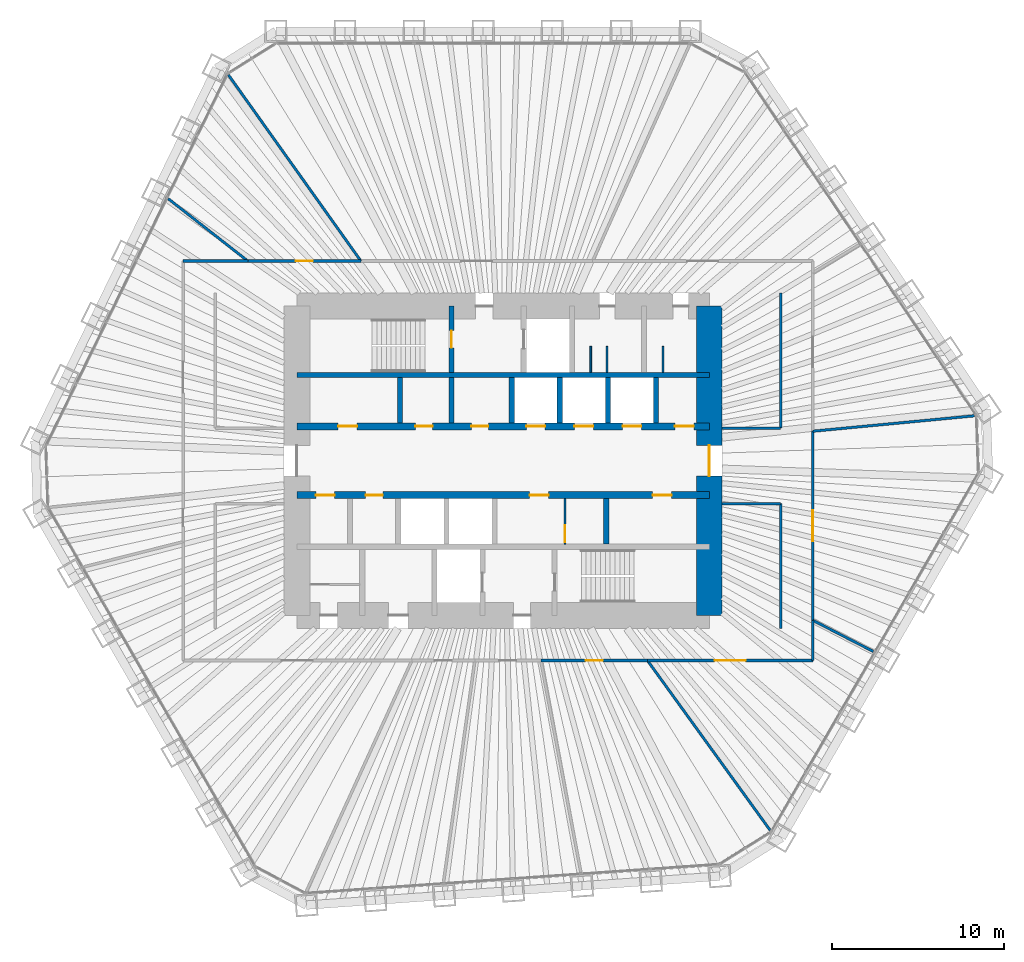
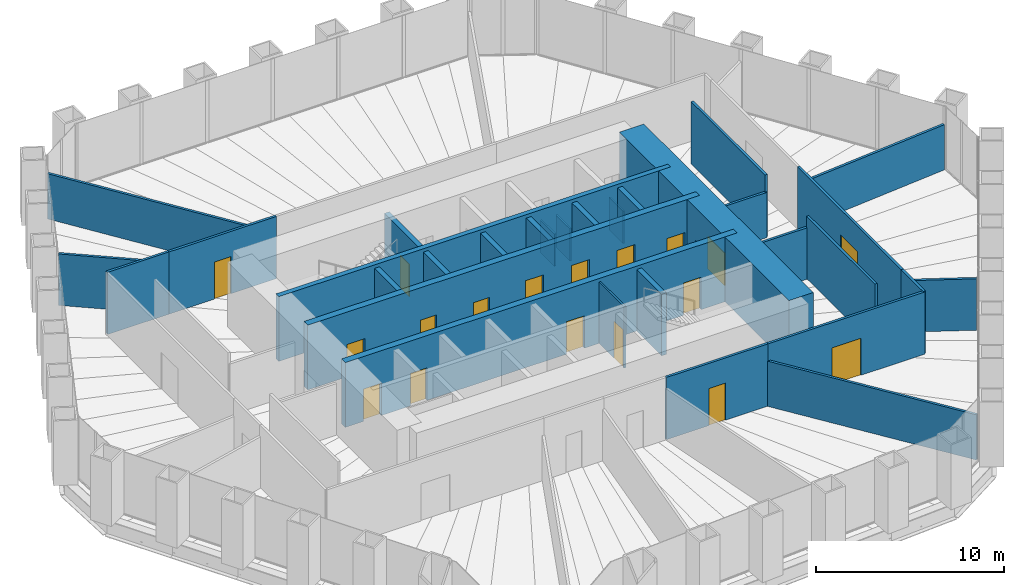
# One storey, part 11 of 13: 31 walls, 18 doors, 18 openings.
"""IFC4 building model written with IfcOpenShell, lengths in metres."""

from ifc_helpers import new_model, si_unit, direction, frame, frame_2d, origin, place, context, subcontext, project, spatial, rectangle, extrude, material, layer, layer_set, type_object, element, fill, save


model = new_model("IFC4")

# Units and contexts
model_context = context("Model", 3, precision=1e-05, world=origin(), true_north=direction((0.0, 1.0)))
body_context = subcontext(model_context, "Body", "Model", "MODEL_VIEW")
ifc_project = project(units=[si_unit("LENGTHUNIT", "METRE"), si_unit("AREAUNIT", "SQUARE_METRE"), si_unit("VOLUMEUNIT", "CUBIC_METRE"), si_unit("PLANEANGLEUNIT", "RADIAN"), si_unit("MASSUNIT", "GRAM", prefix="KILO")], contexts=[model_context])

# Site, building, storey
site_placement = place(None, origin())
site = spatial("IfcSite", under=ifc_project, at=site_placement, CompositionType="ELEMENT")
building_placement = place(site_placement, origin())
building = spatial("IfcBuilding", under=site, at=building_placement, Name="Qingtian Harvest Tower", CompositionType="ELEMENT")
storey_placement = place(building_placement, frame((0.0, 0.0, 119.800048828125)))
storey = spatial("IfcBuildingStorey", under=building, at=storey_placement, Name="L24", CompositionType="ELEMENT", Elevation=119.800048828125)

# Wall
ifc_material_1 = material(Name="Concrete fc' 70 MPa", Category="concrete")
ifc_layer_1 = layer(ifc_material_1, 0.300048828125)
ifc_layer_set_1 = layer_set([ifc_layer_1], Name="Core inner wall RC5 300")
wall_type_1 = type_object("IfcWallType", Name="Core inner wall RC5 300", PredefinedType="SHEAR", material=ifc_layer_set_1)
wall_1_placement = place(storey_placement, frame((-12.0, 5.0, 0.0), z_axis=(0.0, 0.0, 1.0), x_axis=(1.0, 0.0, 0.0)))
element("IfcWall", 1, at=wall_1_placement, inside=storey, type_object=wall_type_1, Name="Core wall IN5 L24", PredefinedType="SHEAR", context=body_context, shape_type="SweptSolid", body=[
    extrude(rectangle(XDim=24.0, YDim=0.300048828125, at=frame_2d((12.0, 0.0))), origin(), (0.0, 0.0, 1.0), 4.199951171875),
])

# Wall, openings, doors
ifc_material_2 = material(Name="Concrete fc' 70 MPa", Category="concrete")
ifc_layer_2 = layer(ifc_material_2, 0.39990234375)
ifc_layer_set_2 = layer_set([ifc_layer_2], Name="Core inner web RC6 400")
wall_type_2 = type_object("IfcWallType", Name="Core inner web RC6 400", PredefinedType="SHEAR", material=ifc_layer_set_2)
wall_2_placement = place(storey_placement, frame((-12.0, 2.0, 0.0), z_axis=(0.0, 0.0, 1.0), x_axis=(1.0, 0.0, 0.0)))
wall_2 = element("IfcWall", 2, at=wall_2_placement, inside=storey, type_object=wall_type_2, Name="Core wall IN2 L24", PredefinedType="SHEAR", context=body_context, shape_type="SweptSolid", body=[
    extrude(rectangle(XDim=24.0, YDim=0.39990234375, at=frame_2d((12.0, 0.0))), origin(), (0.0, 0.0, 1.0), 4.199951171875),
])
opening_1_placement = place(wall_2_placement, frame((2.39990234375, 0.0, 0.0)))
opening_1 = element("IfcOpeningElement", 3, at=opening_1_placement, cuts=wall_2, Name="Opening FD4", PredefinedType="OPENING", context=body_context, shape_type="SweptSolid", body=[
    extrude(rectangle(XDim=1.10009765625, YDim=2.10009765625, at=frame_2d((0.550048828125, 1.050048828125))), frame((0.0, 0.2099609375, 0.0), z_axis=(0.0, -1.0, 0.0), x_axis=(1.0, 0.0, 0.0)), (0.0, 0.0, 1.0), 0.419921875),
])
opening_2_placement = place(wall_2_placement, frame((22.0, 0.0, 0.0)))
opening_2 = element("IfcOpeningElement", 4, at=opening_2_placement, cuts=wall_2, Name="Opening FD4", PredefinedType="OPENING", context=body_context, shape_type="SweptSolid", body=[
    extrude(rectangle(XDim=1.10009765625, YDim=2.10009765625, at=frame_2d((0.550048828125, 1.050048828125))), frame((0.0, 0.2099609375, 0.0), z_axis=(0.0, -1.0, 0.0), x_axis=(1.0, 0.0, 0.0)), (0.0, 0.0, 1.0), 0.419921875),
])
opening_3_placement = place(wall_2_placement, frame((10.14990234375, 0.0, 0.0)))
opening_3 = element("IfcOpeningElement", 5, at=opening_3_placement, cuts=wall_2, Name="Opening FD1", PredefinedType="OPENING", context=body_context, shape_type="SweptSolid", body=[
    extrude(rectangle(XDim=1.0, YDim=2.10009765625, at=frame_2d((0.5, 1.050048828125))), frame((0.0, 0.2099609375, 0.0), z_axis=(0.0, -1.0, 0.0), x_axis=(1.0, 0.0, 0.0)), (0.0, 0.0, 1.0), 0.419921875),
])
opening_4_placement = place(wall_2_placement, frame((6.89990234375, 0.0, 0.0)))
opening_4 = element("IfcOpeningElement", 6, at=opening_4_placement, cuts=wall_2, Name="Opening FD1", PredefinedType="OPENING", context=body_context, shape_type="SweptSolid", body=[
    extrude(rectangle(XDim=1.0, YDim=2.10009765625, at=frame_2d((0.5, 1.050048828125))), frame((0.0, 0.2099609375, 0.0), z_axis=(0.0, -1.0, 0.0), x_axis=(1.0, 0.0, 0.0)), (0.0, 0.0, 1.0), 0.419921875),
])
opening_5_placement = place(wall_2_placement, frame((13.35009765625, 0.0, 0.0)))
opening_5 = element("IfcOpeningElement", 7, at=opening_5_placement, cuts=wall_2, Name="Opening LD1", PredefinedType="OPENING", context=body_context, shape_type="SweptSolid", body=[
    extrude(rectangle(XDim=1.10009765625, YDim=2.39990234375, at=frame_2d((0.550048828125, 1.199951171875))), frame((0.0, 0.2099609375, 0.0), z_axis=(0.0, -1.0, 0.0), x_axis=(1.0, 0.0, 0.0)), (0.0, 0.0, 1.0), 0.419921875),
])
opening_6_placement = place(wall_2_placement, frame((16.14990234375, 0.0, 0.0)))
opening_6 = element("IfcOpeningElement", 8, at=opening_6_placement, cuts=wall_2, Name="Opening LD1", PredefinedType="OPENING", context=body_context, shape_type="SweptSolid", body=[
    extrude(rectangle(XDim=1.10009765625, YDim=2.39990234375, at=frame_2d((0.550048828125, 1.199951171875))), frame((0.0, 0.2099609375, 0.0), z_axis=(0.0, -1.0, 0.0), x_axis=(1.0, 0.0, 0.0)), (0.0, 0.0, 1.0), 0.419921875),
])
opening_7_placement = place(wall_2_placement, frame((18.949951171875, 0.0, 0.0)))
opening_7 = element("IfcOpeningElement", 9, at=opening_7_placement, cuts=wall_2, Name="Opening LD1", PredefinedType="OPENING", context=body_context, shape_type="SweptSolid", body=[
    extrude(rectangle(XDim=1.10009765625, YDim=2.39990234375, at=frame_2d((0.550048828125, 1.199951171875))), frame((0.0, 0.2099609375, 0.0), z_axis=(0.0, -1.0, 0.0), x_axis=(1.0, 0.0, 0.0)), (0.0, 0.0, 1.0), 0.419921875),
])
ifc_material_3 = material(Name="Steel-faced door leaf", Category="steel")
door_type_1 = type_object("IfcDoorType", Name="Fire door FD1 single 1 HR", OperationType="SINGLE_SWING_LEFT", PredefinedType="DOOR", material=ifc_material_3)
door_1_placement = place(opening_3_placement, origin())
door_1 = element("IfcDoor", 10, at=door_1_placement, inside=storey, type_object=door_type_1, Name="STA door L24", OperationType="SINGLE_SWING_RIGHT", OverallHeight=2.10009765625, OverallWidth=1.0, PredefinedType="DOOR", context=body_context, shape_type="SweptSolid", body=[
    extrude(rectangle(XDim=1.0, YDim=2.10009765625, at=frame_2d((0.5, 1.050048828125))), frame((0.0, 0.02490234375, 0.0), z_axis=(0.0, -1.0, 0.0), x_axis=(1.0, 0.0, 0.0)), (0.0, 0.0, 1.0), 0.050048828125),
])
fill(opening_3, door_1)
door_2_placement = place(opening_4_placement, origin())
door_2 = element("IfcDoor", 11, at=door_2_placement, inside=storey, type_object=door_type_1, Name="Staff WC door L24", OperationType="SINGLE_SWING_LEFT", OverallHeight=2.10009765625, OverallWidth=1.0, PredefinedType="DOOR", context=body_context, shape_type="SweptSolid", body=[
    extrude(rectangle(XDim=1.0, YDim=2.10009765625, at=frame_2d((0.5, 1.050048828125))), frame((0.0, 0.02490234375, 0.0), z_axis=(0.0, -1.0, 0.0), x_axis=(1.0, 0.0, 0.0)), (0.0, 0.0, 1.0), 0.050048828125),
])
fill(opening_4, door_2)
ifc_material_4 = material(Name="Steel-faced door leaf", Category="steel")
door_type_2 = type_object("IfcDoorType", Name="Fire door FD4 single 2 HR", OperationType="SINGLE_SWING_LEFT", PredefinedType="DOOR", material=ifc_material_4)
door_3_placement = place(opening_1_placement, origin())
door_3 = element("IfcDoor", 12, at=door_3_placement, inside=storey, type_object=door_type_2, Name="RA door L24", OperationType="SINGLE_SWING_RIGHT", OverallHeight=2.10009765625, OverallWidth=1.10009765625, PredefinedType="DOOR", context=body_context, shape_type="SweptSolid", body=[
    extrude(rectangle(XDim=1.10009765625, YDim=2.10009765625, at=frame_2d((0.550048828125, 1.050048828125))), frame((0.0, 0.02490234375, 0.0), z_axis=(0.0, -1.0, 0.0), x_axis=(1.0, 0.0, 0.0)), (0.0, 0.0, 1.0), 0.050048828125),
])
fill(opening_1, door_3)
door_4_placement = place(opening_2_placement, origin())
door_4 = element("IfcDoor", 13, at=door_4_placement, inside=storey, type_object=door_type_2, Name="AHU door L24", OperationType="SINGLE_SWING_LEFT", OverallHeight=2.10009765625, OverallWidth=1.10009765625, PredefinedType="DOOR", context=body_context, shape_type="SweptSolid", body=[
    extrude(rectangle(XDim=1.10009765625, YDim=2.10009765625, at=frame_2d((0.550048828125, 1.050048828125))), frame((0.0, 0.02490234375, 0.0), z_axis=(0.0, -1.0, 0.0), x_axis=(1.0, 0.0, 0.0)), (0.0, 0.0, 1.0), 0.050048828125),
])
fill(opening_2, door_4)
ifc_material_5 = material(Name="Stainless steel lift landing door", Category="steel")
door_type_3 = type_object("IfcDoorType", Name="Lift landing door LD1 1 HR", OperationType="DOUBLE_DOOR_SLIDING", PredefinedType="DOOR", material=ifc_material_5)
door_5_placement = place(opening_5_placement, origin())
door_5 = element("IfcDoor", 14, at=door_5_placement, inside=storey, type_object=door_type_3, Name="PLB1 landing door L24", OperationType="DOUBLE_DOOR_SLIDING", OverallHeight=2.39990234375, OverallWidth=1.10009765625, PredefinedType="DOOR", context=body_context, shape_type="SweptSolid", body=[
    extrude(rectangle(XDim=1.10009765625, YDim=2.39990234375, at=frame_2d((0.550048828125, 1.199951171875))), frame((0.0, 0.02490234375, 0.0), z_axis=(0.0, -1.0, 0.0), x_axis=(1.0, 0.0, 0.0)), (0.0, 0.0, 1.0), 0.050048828125),
])
fill(opening_5, door_5)
door_6_placement = place(opening_6_placement, origin())
door_6 = element("IfcDoor", 15, at=door_6_placement, inside=storey, type_object=door_type_3, Name="PLB2 landing door L24", OperationType="DOUBLE_DOOR_SLIDING", OverallHeight=2.39990234375, OverallWidth=1.10009765625, PredefinedType="DOOR", context=body_context, shape_type="SweptSolid", body=[
    extrude(rectangle(XDim=1.10009765625, YDim=2.39990234375, at=frame_2d((0.550048828125, 1.199951171875))), frame((0.0, 0.02490234375, 0.0), z_axis=(0.0, -1.0, 0.0), x_axis=(1.0, 0.0, 0.0)), (0.0, 0.0, 1.0), 0.050048828125),
])
fill(opening_6, door_6)
door_7_placement = place(opening_7_placement, origin())
door_7 = element("IfcDoor", 16, at=door_7_placement, inside=storey, type_object=door_type_3, Name="PLB3 landing door L24", OperationType="DOUBLE_DOOR_SLIDING", OverallHeight=2.39990234375, OverallWidth=1.10009765625, PredefinedType="DOOR", context=body_context, shape_type="SweptSolid", body=[
    extrude(rectangle(XDim=1.10009765625, YDim=2.39990234375, at=frame_2d((0.550048828125, 1.199951171875))), frame((0.0, 0.02490234375, 0.0), z_axis=(0.0, -1.0, 0.0), x_axis=(1.0, 0.0, 0.0)), (0.0, 0.0, 1.0), 0.050048828125),
])
fill(opening_7, door_7)

wall_3_placement = place(storey_placement, frame((-12.0, -2.0, 0.0), z_axis=(0.0, 0.0, 1.0), x_axis=(1.0, 0.0, 0.0)))
wall_3 = element("IfcWall", 17, at=wall_3_placement, inside=storey, type_object=wall_type_2, Name="Core wall IS2 L24", PredefinedType="SHEAR", context=body_context, shape_type="SweptSolid", body=[
    extrude(rectangle(XDim=24.0, YDim=0.39990234375, at=frame_2d((12.0, 0.0))), origin(), (0.0, 0.0, 1.0), 4.199951171875),
])
opening_8_placement = place(wall_3_placement, frame((1.10009765625, 0.0, 0.0)))
opening_8 = element("IfcOpeningElement", 18, at=opening_8_placement, cuts=wall_3, Name="Opening FD4", PredefinedType="OPENING", context=body_context, shape_type="SweptSolid", body=[
    extrude(rectangle(XDim=1.10009765625, YDim=2.10009765625, at=frame_2d((0.550048828125, 1.050048828125))), frame((0.0, 0.2099609375, 0.0), z_axis=(0.0, -1.0, 0.0), x_axis=(1.0, 0.0, 0.0)), (0.0, 0.0, 1.0), 0.419921875),
])
opening_9_placement = place(wall_3_placement, frame((13.550048828125, 0.0, 0.0)))
opening_9 = element("IfcOpeningElement", 19, at=opening_9_placement, cuts=wall_3, Name="Opening FD4", PredefinedType="OPENING", context=body_context, shape_type="SweptSolid", body=[
    extrude(rectangle(XDim=1.10009765625, YDim=2.10009765625, at=frame_2d((0.550048828125, 1.050048828125))), frame((0.0, 0.2099609375, 0.0), z_axis=(0.0, -1.0, 0.0), x_axis=(1.0, 0.0, 0.0)), (0.0, 0.0, 1.0), 0.419921875),
])
opening_10_placement = place(wall_3_placement, frame((20.699951171875, 0.0, 0.0)))
opening_10 = element("IfcOpeningElement", 20, at=opening_10_placement, cuts=wall_3, Name="Opening FD4", PredefinedType="OPENING", context=body_context, shape_type="SweptSolid", body=[
    extrude(rectangle(XDim=1.10009765625, YDim=2.10009765625, at=frame_2d((0.550048828125, 1.050048828125))), frame((0.0, 0.2099609375, 0.0), z_axis=(0.0, -1.0, 0.0), x_axis=(1.0, 0.0, 0.0)), (0.0, 0.0, 1.0), 0.419921875),
])
opening_11_placement = place(wall_3_placement, frame((4.0, 0.0, 0.0)))
opening_11 = element("IfcOpeningElement", 21, at=opening_11_placement, cuts=wall_3, Name="Opening FD1", PredefinedType="OPENING", context=body_context, shape_type="SweptSolid", body=[
    extrude(rectangle(XDim=1.0, YDim=2.10009765625, at=frame_2d((0.5, 1.050048828125))), frame((0.0, 0.2099609375, 0.0), z_axis=(0.0, -1.0, 0.0), x_axis=(1.0, 0.0, 0.0)), (0.0, 0.0, 1.0), 0.419921875),
])
door_8_placement = place(opening_11_placement, origin())
door_8 = element("IfcDoor", 22, at=door_8_placement, inside=storey, type_object=door_type_1, Name="Staff WC door L24", OperationType="SINGLE_SWING_LEFT", OverallHeight=2.10009765625, OverallWidth=1.0, PredefinedType="DOOR", context=body_context, shape_type="SweptSolid", body=[
    extrude(rectangle(XDim=1.0, YDim=2.10009765625, at=frame_2d((0.5, 1.050048828125))), frame((0.0, 0.02490234375, 0.0), z_axis=(0.0, -1.0, 0.0), x_axis=(1.0, 0.0, 0.0)), (0.0, 0.0, 1.0), 0.050048828125),
])
fill(opening_11, door_8)
door_9_placement = place(opening_8_placement, origin())
door_9 = element("IfcDoor", 23, at=door_9_placement, inside=storey, type_object=door_type_2, Name="RB door L24", OperationType="SINGLE_SWING_RIGHT", OverallHeight=2.10009765625, OverallWidth=1.10009765625, PredefinedType="DOOR", context=body_context, shape_type="SweptSolid", body=[
    extrude(rectangle(XDim=1.10009765625, YDim=2.10009765625, at=frame_2d((0.550048828125, 1.050048828125))), frame((0.0, 0.02490234375, 0.0), z_axis=(0.0, -1.0, 0.0), x_axis=(1.0, 0.0, 0.0)), (0.0, 0.0, 1.0), 0.050048828125),
])
fill(opening_8, door_9)
door_10_placement = place(opening_9_placement, origin())
door_10 = element("IfcDoor", 24, at=door_10_placement, inside=storey, type_object=door_type_2, Name="ELEC door L24", OperationType="SINGLE_SWING_RIGHT", OverallHeight=2.10009765625, OverallWidth=1.10009765625, PredefinedType="DOOR", context=body_context, shape_type="SweptSolid", body=[
    extrude(rectangle(XDim=1.10009765625, YDim=2.10009765625, at=frame_2d((0.550048828125, 1.050048828125))), frame((0.0, 0.02490234375, 0.0), z_axis=(0.0, -1.0, 0.0), x_axis=(1.0, 0.0, 0.0)), (0.0, 0.0, 1.0), 0.050048828125),
])
fill(opening_9, door_10)
door_11_placement = place(opening_10_placement, origin())
door_11 = element("IfcDoor", 25, at=door_11_placement, inside=storey, type_object=door_type_2, Name="DUCT door L24", OperationType="SINGLE_SWING_LEFT", OverallHeight=2.10009765625, OverallWidth=1.10009765625, PredefinedType="DOOR", context=body_context, shape_type="SweptSolid", body=[
    extrude(rectangle(XDim=1.10009765625, YDim=2.10009765625, at=frame_2d((0.550048828125, 1.050048828125))), frame((0.0, 0.02490234375, 0.0), z_axis=(0.0, -1.0, 0.0), x_axis=(1.0, 0.0, 0.0)), (0.0, 0.0, 1.0), 0.050048828125),
])
fill(opening_10, door_11)

# Wall, opening, door
ifc_material_6 = material(Name="Precast concrete shaft panel", Category="concrete")
ifc_layer_3 = layer(ifc_material_6, 0.300048828125)
ifc_layer_set_3 = layer_set([ifc_layer_3], Name="Core shaft partition SW1 300")
wall_type_3 = type_object("IfcWallType", Name="Core shaft partition SW1 300", PredefinedType="PARTITIONING", material=ifc_layer_set_3)
wall_4_placement = place(storey_placement, frame((-3.0, 5.14990234375, 0.0), z_axis=(0.0, 0.0, 1.0), x_axis=(0.0, 1.0, 0.0)))
wall_4 = element("IfcWall", 26, at=wall_4_placement, inside=storey, type_object=wall_type_3, Name="Core shaft partition XN1 L24", PredefinedType="PARTITIONING", context=body_context, shape_type="SweptSolid", body=[
    extrude(rectangle(XDim=3.85009765625, YDim=0.300048828125, at=frame_2d((1.925048828125, 0.0))), origin(), (0.0, 0.0, 1.0), 3.97998046875),
])
opening_12_placement = place(wall_4_placement, frame((1.425048828125, 0.0, 0.0)))
opening_12 = element("IfcOpeningElement", 27, at=opening_12_placement, cuts=wall_4, Name="Opening FD1", PredefinedType="OPENING", context=body_context, shape_type="SweptSolid", body=[
    extrude(rectangle(XDim=1.0, YDim=2.10009765625, at=frame_2d((0.5, 1.050048828125))), frame((0.0, 0.159912109375, 0.0), z_axis=(0.0, -1.0, 0.0), x_axis=(1.0, 0.0, 0.0)), (0.0, 0.0, 1.0), 0.320068359375),
])
door_12_placement = place(opening_12_placement, origin())
door_12 = element("IfcDoor", 28, at=door_12_placement, inside=storey, type_object=door_type_1, Name="S1 door L24", OperationType="SINGLE_SWING_RIGHT", OverallHeight=2.10009765625, OverallWidth=1.0, PredefinedType="DOOR", context=body_context, shape_type="SweptSolid", body=[
    extrude(rectangle(XDim=1.0, YDim=2.10009765625, at=frame_2d((0.5, 1.050048828125))), frame((0.0, 0.02490234375, 0.0), z_axis=(0.0, -1.0, 0.0), x_axis=(1.0, 0.0, 0.0)), (0.0, 0.0, 1.0), 0.050048828125),
])
fill(opening_12, door_12)

# Walls
for number, where, z_axis, x_axis, name in (
    (29, (-6.0, 2.199951171875, 0.0), (0.0, 0.0, 1.0), (0.0, 1.0, 0.0), "Core shaft partition XA1 L24"),
    (30, (-3.0, 2.199951171875, 0.0), (0.0, 0.0, 1.0), (0.0, 1.0, 0.0), "Core shaft partition XA2 L24"),
    (31, (0.5, 2.199951171875, 0.0), (0.0, 0.0, 1.0), (0.0, 1.0, 0.0), "Core shaft partition XA3 L24"),
    (32, (3.300048828125, 2.199951171875, 0.0), (0.0, 0.0, 1.0), (0.0, 1.0, 0.0), "Core shaft partition XA4 L24"),
    (33, (6.10009765625, 2.199951171875, 0.0), (0.0, 0.0, 1.0), (0.0, 1.0, 0.0), "Core shaft partition XA5 L24"),
    (34, (8.89990234375, 2.199951171875, 0.0), (0.0, 0.0, 1.0), (0.0, 1.0, 0.0), "Core shaft partition XA6 L24"),
    (35, (6.0, -4.85009765625, 0.0), (0.0, 0.0, 1.0), (0.0, 1.0, 0.0), "Core shaft partition XB5 L24"),
):
    element("IfcWall", number, at=place(storey_placement, frame(where, z_axis=z_axis, x_axis=x_axis)), inside=storey, type_object=wall_type_3, Name=name, PredefinedType="PARTITIONING", context=body_context, shape_type="SweptSolid", body=[
        extrude(rectangle(XDim=2.650146484375, YDim=0.300048828125, at=frame_2d((1.3251953125, 0.0))), origin(), (0.0, 0.0, 1.0), 3.97998046875),
    ])

# Wall, opening, door
ifc_material_7 = material(Name="Concrete fc' 70 MPa", Category="concrete")
ifc_layer_4 = layer(ifc_material_7, 1.5)
ifc_layer_set_4 = layer_set([ifc_layer_4], Name="Core wall RC1 1500")
wall_type_4 = type_object("IfcWallType", Name="Core wall RC1 1500", PredefinedType="SHEAR", material=ifc_layer_set_4)
wall_5_placement = place(storey_placement, frame((12.0, -9.0, 0.0), z_axis=(0.0, 0.0, 1.0), x_axis=(0.0, 1.0, 0.0)))
wall_5 = element("IfcWall", 36, at=wall_5_placement, inside=storey, type_object=wall_type_4, Name="Core wall CE L24", PredefinedType="SHEAR", context=body_context, shape_type="SweptSolid", body=[
    extrude(rectangle(XDim=18.0, YDim=1.5, at=frame_2d((9.0, 0.0))), origin(), (0.0, 0.0, 1.0), 4.199951171875),
])
opening_13_placement = place(wall_5_placement, frame((8.10009765625, 0.0, 0.0)))
opening_13 = element("IfcOpeningElement", 37, at=opening_13_placement, cuts=wall_5, Name="Opening FD2", PredefinedType="OPENING", context=body_context, shape_type="SweptSolid", body=[
    extrude(rectangle(XDim=1.800048828125, YDim=2.10009765625, at=frame_2d((0.89990234375, 1.050048828125))), frame((0.0, 0.760009765625, 0.0), z_axis=(0.0, -1.0, 0.0), x_axis=(1.0, 0.0, 0.0)), (0.0, 0.0, 1.0), 1.52001953125),
])
ifc_material_8 = material(Name="Steel-faced door leaf", Category="steel")
door_type_4 = type_object("IfcDoorType", Name="Fire door FD2 double 1 HR", OperationType="DOUBLE_DOOR_DOUBLE_SWING", PredefinedType="DOOR", material=ifc_material_8)
door_13_placement = place(opening_13_placement, origin())
door_13 = element("IfcDoor", 38, at=door_13_placement, inside=storey, type_object=door_type_4, Name="LOBBY-E door L24", OperationType="DOUBLE_DOOR_DOUBLE_SWING", OverallHeight=2.10009765625, OverallWidth=1.800048828125, PredefinedType="DOOR", context=body_context, shape_type="SweptSolid", body=[
    extrude(rectangle(XDim=1.800048828125, YDim=2.10009765625, at=frame_2d((0.89990234375, 1.050048828125))), frame((0.0, 0.02490234375, 0.0), z_axis=(0.0, -1.0, 0.0), x_axis=(1.0, 0.0, 0.0)), (0.0, 0.0, 1.0), 0.050048828125),
])
fill(opening_13, door_13)

# Walls
ifc_material_9 = material(Name="Gypsum board on steel studs", Category="steel")
ifc_layer_5 = layer(ifc_material_9, 0.14990234375)
ifc_layer_set_5 = layer_set([ifc_layer_5], Name="Partition PT1 150")
wall_type_5 = type_object("IfcWallType", Name="Partition PT1 150", PredefinedType="PARTITIONING", material=ifc_layer_set_5)
wall_6_placement = place(storey_placement, frame((-15.986572265625, 22.45458984375, 0.0), z_axis=(0.0, 0.0, 1.0), x_axis=(0.579969304452, -0.814638328274, 0.0)))
element("IfcWall", 39, at=wall_6_placement, inside=storey, type_object=wall_type_5, Name="Office suite wall L24", PredefinedType="PARTITIONING", context=body_context, shape_type="SweptSolid", body=[
    extrude(rectangle(XDim=13.293701171875, YDim=0.14990234375, at=frame_2d((6.64697265625, 0.0))), origin(), (0.0, 0.0, 1.0), 2.929931640625),
])
wall_7_placement = place(storey_placement, frame((27.439453125, 2.61767578125, 0.0), z_axis=(0.0, 0.0, 1.0), x_axis=(-0.995479795947, -0.09497355348, 0.0)))
element("IfcWall", 40, at=wall_7_placement, inside=storey, type_object=wall_type_5, Name="Meeting room wall L24", PredefinedType="PARTITIONING", context=body_context, shape_type="SweptSolid", body=[
    extrude(rectangle(XDim=9.457275390625, YDim=0.14990234375, at=frame_2d((4.728515625, 0.0))), origin(), (0.0, 0.0, 1.0), 2.929931640625),
])

# Wall, opening, door
wall_8_placement = place(storey_placement, frame((18.02490234375, 1.719482421875, 0.0), z_axis=(0.0, 0.0, 1.0), x_axis=(0.0, -1.0, 0.0)))
wall_8 = element("IfcWall", 41, at=wall_8_placement, inside=storey, type_object=wall_type_5, Name="Meeting room wall L24", PredefinedType="PARTITIONING", context=body_context, shape_type="SweptSolid", body=[
    extrude(rectangle(XDim=11.005615234375, YDim=0.14990234375, at=frame_2d((5.5029296875, 0.0))), origin(), (0.0, 0.0, 1.0), 4.030029296875),
])
opening_14_placement = place(wall_8_placement, frame((4.602783203125, 0.0, 0.0)))
opening_14 = element("IfcOpeningElement", 42, at=opening_14_placement, cuts=wall_8, Name="Opening D3", PredefinedType="OPENING", context=body_context, shape_type="SweptSolid", body=[
    extrude(rectangle(XDim=1.800048828125, YDim=2.39990234375, at=frame_2d((0.89990234375, 1.199951171875))), frame((0.0, 0.0849609375, 0.0), z_axis=(0.0, -1.0, 0.0), x_axis=(1.0, 0.0, 0.0)), (0.0, 0.0, 1.0), 0.169921875),
])
ifc_material_10 = material(Name="Laminated timber door leaf", Category="wood")
door_type_5 = type_object("IfcDoorType", Name="Room door D3 double", OperationType="DOUBLE_DOOR_DOUBLE_SWING", PredefinedType="DOOR", material=ifc_material_10)
door_14_placement = place(opening_14_placement, origin())
door_14 = element("IfcDoor", 43, at=door_14_placement, inside=storey, type_object=door_type_5, Name="Meeting room door L24", OperationType="DOUBLE_DOOR_DOUBLE_SWING", OverallHeight=2.39990234375, OverallWidth=1.800048828125, PredefinedType="DOOR", context=body_context, shape_type="SweptSolid", body=[
    extrude(rectangle(XDim=1.800048828125, YDim=2.39990234375, at=frame_2d((0.89990234375, 1.199951171875))), frame((0.0, 0.02490234375, 0.0), z_axis=(0.0, -1.0, 0.0), x_axis=(1.0, 0.0, 0.0)), (0.0, 0.0, 1.0), 0.050048828125),
])
fill(opening_14, door_14)

# Walls
wall_9_placement = place(storey_placement, frame((21.537841796875, -11.095703125, 0.0), z_axis=(0.0, 0.0, 1.0), x_axis=(-0.888987513346, 0.457931437134, 0.0)))
element("IfcWall", 44, at=wall_9_placement, inside=storey, type_object=wall_type_5, Name="Tenant lounge wall L24", PredefinedType="PARTITIONING", context=body_context, shape_type="SweptSolid", body=[
    extrude(rectangle(XDim=3.95166015625, YDim=0.14990234375, at=frame_2d((1.975830078125, 0.0))), origin(), (0.0, 0.0, 1.0), 3.329833984375),
])
wall_10_placement = place(storey_placement, frame((18.02490234375, -9.2861328125, 0.0), z_axis=(0.0, 0.0, 1.0), x_axis=(0.0, -1.0, 0.0)))
element("IfcWall", 45, at=wall_10_placement, inside=storey, type_object=wall_type_5, Name="Tenant lounge wall L24", PredefinedType="PARTITIONING", context=body_context, shape_type="SweptSolid", body=[
    extrude(rectangle(XDim=2.3388671875, YDim=0.14990234375, at=frame_2d((1.16943359375, 0.0))), origin(), (0.0, 0.0, 1.0), 4.030029296875),
])

# Wall, opening, door
wall_11_placement = place(storey_placement, frame((18.02490234375, -11.625, 0.0), z_axis=(0.0, 0.0, 1.0), x_axis=(-1.0, 0.0, 0.0)))
wall_11 = element("IfcWall", 46, at=wall_11_placement, inside=storey, type_object=wall_type_5, Name="Tenant lounge wall L24", PredefinedType="PARTITIONING", context=body_context, shape_type="SweptSolid", body=[
    extrude(rectangle(XDim=9.62353515625, YDim=0.14990234375, at=frame_2d((4.811767578125, 0.0))), origin(), (0.0, 0.0, 1.0), 4.030029296875),
])
opening_15_placement = place(wall_11_placement, frame((3.911865234375, 0.0, 0.0)))
opening_15 = element("IfcOpeningElement", 47, at=opening_15_placement, cuts=wall_11, Name="Opening D3", PredefinedType="OPENING", context=body_context, shape_type="SweptSolid", body=[
    extrude(rectangle(XDim=1.800048828125, YDim=2.39990234375, at=frame_2d((0.89990234375, 1.199951171875))), frame((0.0, 0.0849609375, 0.0), z_axis=(0.0, -1.0, 0.0), x_axis=(1.0, 0.0, 0.0)), (0.0, 0.0, 1.0), 0.169921875),
])
door_15_placement = place(opening_15_placement, origin())
door_15 = element("IfcDoor", 48, at=door_15_placement, inside=storey, type_object=door_type_5, Name="Tenant lounge door L24", OperationType="DOUBLE_DOOR_DOUBLE_SWING", OverallHeight=2.39990234375, OverallWidth=1.800048828125, PredefinedType="DOOR", context=body_context, shape_type="SweptSolid", body=[
    extrude(rectangle(XDim=1.800048828125, YDim=2.39990234375, at=frame_2d((0.89990234375, 1.199951171875))), frame((0.0, 0.02490234375, 0.0), z_axis=(0.0, -1.0, 0.0), x_axis=(1.0, 0.0, 0.0)), (0.0, 0.0, 1.0), 0.050048828125),
])
fill(opening_15, door_15)

# Wall
wall_12_placement = place(storey_placement, frame((15.53955078125, -21.50244140625, 0.0), z_axis=(0.0, 0.0, 1.0), x_axis=(-0.585731902034, 0.810504866697, 0.0)))
element("IfcWall", 49, at=wall_12_placement, inside=storey, type_object=wall_type_5, Name="Pantry wall L24", PredefinedType="PARTITIONING", context=body_context, shape_type="SweptSolid", body=[
    extrude(rectangle(XDim=12.186767578125, YDim=0.14990234375, at=frame_2d((6.09326171875, 0.0))), origin(), (0.0, 0.0, 1.0), 2.929931640625),
])

# Wall, opening, door
wall_13_placement = place(storey_placement, frame((8.4013671875, -11.625, 0.0), z_axis=(0.0, 0.0, 1.0), x_axis=(-1.0, 0.0, 0.0)))
wall_13 = element("IfcWall", 50, at=wall_13_placement, inside=storey, type_object=wall_type_5, Name="Pantry wall L24", PredefinedType="PARTITIONING", context=body_context, shape_type="SweptSolid", body=[
    extrude(rectangle(XDim=6.204833984375, YDim=0.14990234375, at=frame_2d((3.1025390625, 0.0))), origin(), (0.0, 0.0, 1.0), 4.030029296875),
])
opening_16_placement = place(wall_13_placement, frame((2.602294921875, 0.0, 0.0)))
opening_16 = element("IfcOpeningElement", 51, at=opening_16_placement, cuts=wall_13, Name="Opening D2", PredefinedType="OPENING", context=body_context, shape_type="SweptSolid", body=[
    extrude(rectangle(XDim=1.0, YDim=2.39990234375, at=frame_2d((0.5, 1.199951171875))), frame((0.0, 0.0849609375, 0.0), z_axis=(0.0, -1.0, 0.0), x_axis=(1.0, 0.0, 0.0)), (0.0, 0.0, 1.0), 0.169921875),
])
ifc_material_11 = material(Name="Laminated timber door leaf", Category="wood")
door_type_6 = type_object("IfcDoorType", Name="Room door D2 single", OperationType="SINGLE_SWING_LEFT", PredefinedType="DOOR", material=ifc_material_11)
door_16_placement = place(opening_16_placement, origin())
door_16 = element("IfcDoor", 52, at=door_16_placement, inside=storey, type_object=door_type_6, Name="Pantry door L24", OperationType="SINGLE_SWING_LEFT", OverallHeight=2.39990234375, OverallWidth=1.0, PredefinedType="DOOR", context=body_context, shape_type="SweptSolid", body=[
    extrude(rectangle(XDim=1.0, YDim=2.39990234375, at=frame_2d((0.5, 1.199951171875))), frame((0.0, 0.02490234375, 0.0), z_axis=(0.0, -1.0, 0.0), x_axis=(1.0, 0.0, 0.0)), (0.0, 0.0, 1.0), 0.050048828125),
])
fill(opening_16, door_16)

# Walls
wall_14_placement = place(storey_placement, frame((-18.625, 11.625, 0.0), z_axis=(0.0, 0.0, 1.0), x_axis=(1.0, 0.0, 0.0)))
element("IfcWall", 53, at=wall_14_placement, inside=storey, type_object=wall_type_5, Name="Meeting room wall L24", PredefinedType="PARTITIONING", context=body_context, shape_type="SweptSolid", body=[
    extrude(rectangle(XDim=3.767822265625, YDim=0.14990234375, at=frame_2d((1.8837890625, 0.0))), origin(), (0.0, 0.0, 1.0), 4.030029296875),
])
wall_15_placement = place(storey_placement, frame((-19.489501953125, 15.249755859375, 0.0), z_axis=(0.0, 0.0, 1.0), x_axis=(0.787549668605, -0.616251182133, 0.0)))
element("IfcWall", 54, at=wall_15_placement, inside=storey, type_object=wall_type_5, Name="Quiet room wall L24", PredefinedType="PARTITIONING", context=body_context, shape_type="SweptSolid", body=[
    extrude(rectangle(XDim=5.8818359375, YDim=0.14990234375, at=frame_2d((2.94091796875, 0.0))), origin(), (0.0, 0.0, 1.0), 3.329833984375),
])

# Wall, opening, door
wall_16_placement = place(storey_placement, frame((-14.857177734375, 11.625, 0.0), z_axis=(0.0, 0.0, 1.0), x_axis=(1.0, 0.0, 0.0)))
wall_16 = element("IfcWall", 55, at=wall_16_placement, inside=storey, type_object=wall_type_5, Name="Quiet room wall L24", PredefinedType="PARTITIONING", context=body_context, shape_type="SweptSolid", body=[
    extrude(rectangle(XDim=6.58056640625, YDim=0.14990234375, at=frame_2d((3.290283203125, 0.0))), origin(), (0.0, 0.0, 1.0), 4.030029296875),
])
opening_17_placement = place(wall_16_placement, frame((2.790283203125, 0.0, 0.0)))
opening_17 = element("IfcOpeningElement", 56, at=opening_17_placement, cuts=wall_16, Name="Opening D2", PredefinedType="OPENING", context=body_context, shape_type="SweptSolid", body=[
    extrude(rectangle(XDim=1.0, YDim=2.39990234375, at=frame_2d((0.5, 1.199951171875))), frame((0.0, 0.0849609375, 0.0), z_axis=(0.0, -1.0, 0.0), x_axis=(1.0, 0.0, 0.0)), (0.0, 0.0, 1.0), 0.169921875),
])
door_17_placement = place(opening_17_placement, origin())
door_17 = element("IfcDoor", 57, at=door_17_placement, inside=storey, type_object=door_type_6, Name="Quiet room door L24", OperationType="SINGLE_SWING_RIGHT", OverallHeight=2.39990234375, OverallWidth=1.0, PredefinedType="DOOR", context=body_context, shape_type="SweptSolid", body=[
    extrude(rectangle(XDim=1.0, YDim=2.39990234375, at=frame_2d((0.5, 1.199951171875))), frame((0.0, 0.02490234375, 0.0), z_axis=(0.0, -1.0, 0.0), x_axis=(1.0, 0.0, 0.0)), (0.0, 0.0, 1.0), 0.050048828125),
])
fill(opening_17, door_17)

# Walls
wall_17_placement = place(storey_placement, frame((16.14990234375, 1.89990234375, 0.0), z_axis=(0.0, 0.0, 1.0), x_axis=(0.0, 1.0, 0.0)))
element("IfcWall", 58, at=wall_17_placement, inside=storey, type_object=wall_type_5, Name="Breakout space wall L24", PredefinedType="PARTITIONING", context=body_context, shape_type="SweptSolid", body=[
    extrude(rectangle(XDim=7.85009765625, YDim=0.14990234375, at=frame_2d((3.925048828125, 0.0))), origin(), (0.0, 0.0, 1.0), 4.030029296875),
])
wall_18_placement = place(storey_placement, frame((12.75, 1.89990234375, 0.0), z_axis=(0.0, 0.0, 1.0), x_axis=(1.0, 0.0, 0.0)))
element("IfcWall", 59, at=wall_18_placement, inside=storey, type_object=wall_type_5, Name="Breakout space wall L24", PredefinedType="PARTITIONING", context=body_context, shape_type="SweptSolid", body=[
    extrude(rectangle(XDim=3.39990234375, YDim=0.14990234375, at=frame_2d((1.699951171875, 0.0))), origin(), (0.0, 0.0, 1.0), 2.929931640625),
])
wall_19_placement = place(storey_placement, frame((16.14990234375, -9.75, 0.0), z_axis=(0.0, 0.0, 1.0), x_axis=(0.0, 1.0, 0.0)))
element("IfcWall", 60, at=wall_19_placement, inside=storey, type_object=wall_type_5, Name="Print area wall L24", PredefinedType="PARTITIONING", context=body_context, shape_type="SweptSolid", body=[
    extrude(rectangle(XDim=7.25, YDim=0.14990234375, at=frame_2d((3.625, 0.0))), origin(), (0.0, 0.0, 1.0), 4.030029296875),
])
wall_20_placement = place(storey_placement, frame((12.75, -2.5, 0.0), z_axis=(0.0, 0.0, 1.0), x_axis=(1.0, 0.0, 0.0)))
element("IfcWall", 61, at=wall_20_placement, inside=storey, type_object=wall_type_5, Name="Print area wall L24", PredefinedType="PARTITIONING", context=body_context, shape_type="SweptSolid", body=[
    extrude(rectangle(XDim=3.39990234375, YDim=0.14990234375, at=frame_2d((1.699951171875, 0.0))), origin(), (0.0, 0.0, 1.0), 3.329833984375),
])

# Wall, opening, door
ifc_material_12 = material(Name="Concrete block partition", Category="concrete")
ifc_layer_6 = layer(ifc_material_12, 0.10009765625)
ifc_layer_set_6 = layer_set([ifc_layer_6], Name="Store partition PT3 100")
wall_type_6 = type_object("IfcWallType", Name="Store partition PT3 100", PredefinedType="PARTITIONING", material=ifc_layer_set_6)
wall_21_placement = place(storey_placement, frame((3.60009765625, -4.85009765625, 0.0), z_axis=(0.0, 0.0, 1.0), x_axis=(0.0, 1.0, 0.0)))
wall_21 = element("IfcWall", 62, at=wall_21_placement, inside=storey, type_object=wall_type_6, Name="Comms room wall L24", PredefinedType="PARTITIONING", context=body_context, shape_type="SweptSolid", body=[
    extrude(rectangle(XDim=2.650146484375, YDim=0.10009765625, at=frame_2d((1.3251953125, 0.0))), origin(), (0.0, 0.0, 1.0), 3.97998046875),
])
opening_18_placement = place(wall_21_placement, frame((0.10009765625, 0.0, 0.0)))
opening_18 = element("IfcOpeningElement", 63, at=opening_18_placement, cuts=wall_21, Name="Opening D2", PredefinedType="OPENING", context=body_context, shape_type="SweptSolid", body=[
    extrude(rectangle(XDim=1.0, YDim=2.39990234375, at=frame_2d((0.5, 1.199951171875))), frame((0.0, 0.06005859375, 0.0), z_axis=(0.0, -1.0, 0.0), x_axis=(1.0, 0.0, 0.0)), (0.0, 0.0, 1.0), 0.1201171875),
])
door_18_placement = place(opening_18_placement, origin())
door_18 = element("IfcDoor", 64, at=door_18_placement, inside=storey, type_object=door_type_6, Name="Comms room door L24", OperationType="SINGLE_SWING_RIGHT", OverallHeight=2.39990234375, OverallWidth=1.0, PredefinedType="DOOR", context=body_context, shape_type="SweptSolid", body=[
    extrude(rectangle(XDim=1.0, YDim=2.39990234375, at=frame_2d((0.5, 1.199951171875))), frame((0.0, 0.02490234375, 0.0), z_axis=(0.0, -1.0, 0.0), x_axis=(1.0, 0.0, 0.0)), (0.0, 0.0, 1.0), 0.050048828125),
])
fill(opening_18, door_18)

# Walls
ifc_material_13 = material(Name="Compact laminate cubicle partition", Category="plastic")
ifc_layer_7 = layer(ifc_material_13, 0.10009765625)
ifc_layer_set_7 = layer_set([ifc_layer_7], Name="WC cubicle partition WP1 100")
wall_type_7 = type_object("IfcWallType", Name="WC cubicle partition WP1 100", PredefinedType="PARTITIONING", material=ifc_layer_set_7)
for number, where, z_axis, x_axis, name in (
    (65, (5.10009765625, 5.14990234375, 0.0), (0.0, 0.0, 1.0), (0.0, 1.0, 0.0), "WC cubicle partition WCM L24"),
    (66, (6.050048828125, 5.14990234375, 0.0), (0.0, 0.0, 1.0), (0.0, 1.0, 0.0), "WC cubicle partition WCM L24"),
    (67, (9.300048828125, 5.14990234375, 0.0), (0.0, 0.0, 1.0), (0.0, 1.0, 0.0), "WC cubicle partition WCF L24"),
):
    element("IfcWall", number, at=place(storey_placement, frame(where, z_axis=z_axis, x_axis=x_axis)), inside=storey, type_object=wall_type_7, Name=name, PredefinedType="PARTITIONING", context=body_context, shape_type="SweptSolid", body=[
        extrude(rectangle(XDim=1.5, YDim=0.10009765625, at=frame_2d((0.75, 0.0))), origin(), (0.0, 0.0, 1.0), 2.099853515625),
    ])

save(model, "model.ifc")
